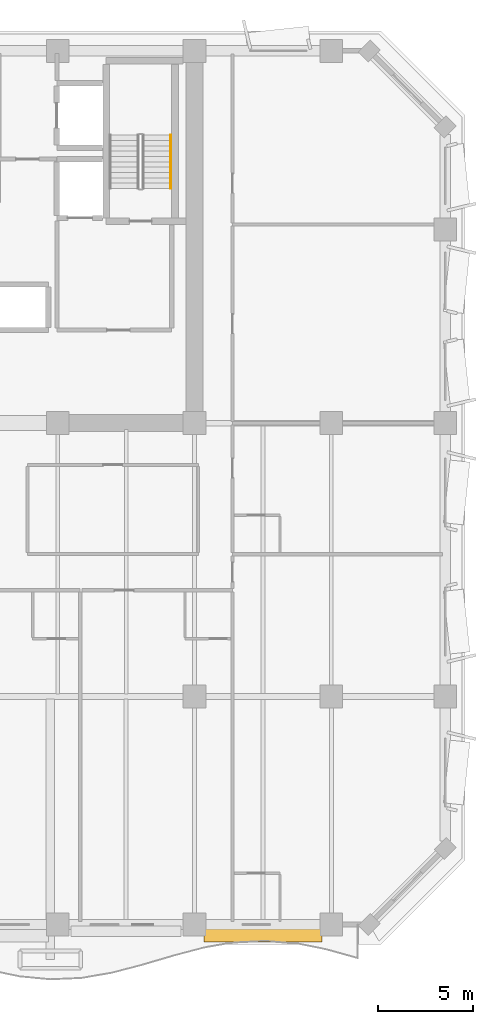
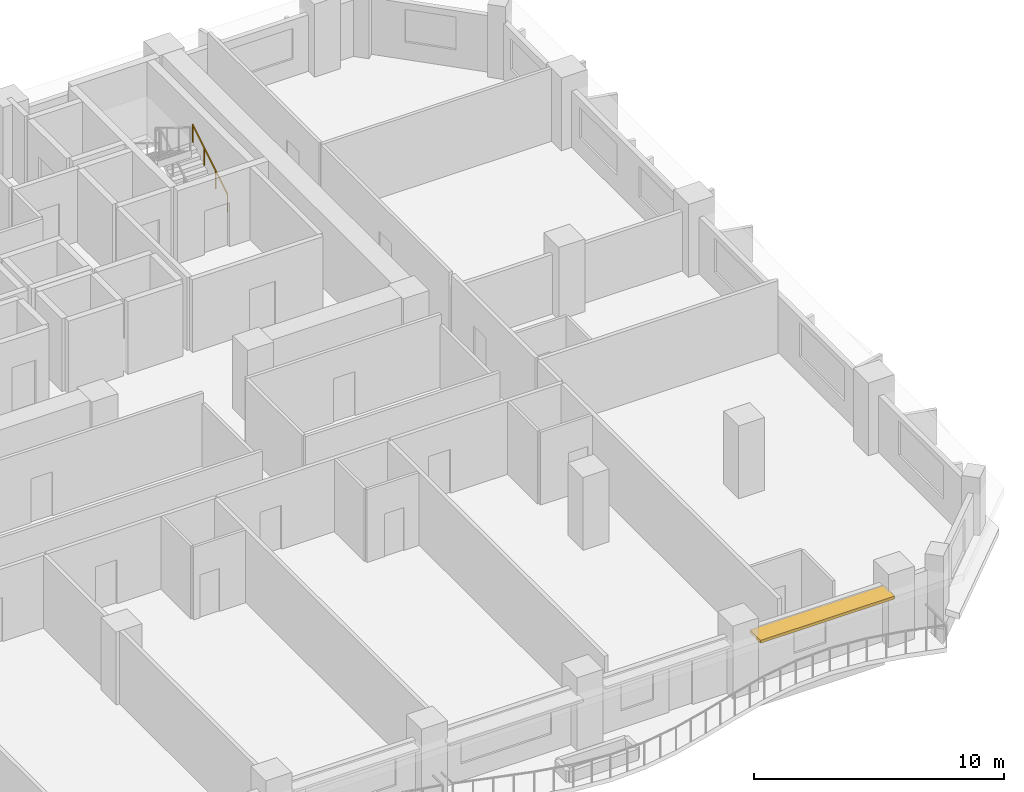
# One storey, part 15 of 15: 1 railing, 1 shading device.
"""IFC4 building model written with IfcOpenShell, lengths in metres."""

from ifc_helpers import new_model, si_unit, direction, frame, origin, origin_2d, place, context, subcontext, project, spatial, rectangle, extrude, material, layer, layer_set, type_object, element, save


model = new_model("IFC4")

# Units and contexts
model_context = context("Model", 3, precision=1e-05, world=origin(), true_north=direction((0.0, 1.0)))
body_context = subcontext(model_context, "Body", "Model", "MODEL_VIEW")
ifc_project = project(units=[si_unit("LENGTHUNIT", "METRE"), si_unit("AREAUNIT", "SQUARE_METRE"), si_unit("VOLUMEUNIT", "CUBIC_METRE"), si_unit("PLANEANGLEUNIT", "RADIAN"), si_unit("MASSUNIT", "GRAM", prefix="KILO")], contexts=[model_context])

# Site, building, storey
site_placement = place(None, origin())
site = spatial("IfcSite", under=ifc_project, at=site_placement, CompositionType="ELEMENT")
building_placement = place(site_placement, origin())
building = spatial("IfcBuilding", under=site, at=building_placement, Name="Kaelvorn Grand Hotel", CompositionType="ELEMENT")
storey_placement = place(building_placement, frame((0.0, 0.0, 177.14990234375)))
storey = spatial("IfcBuildingStorey", under=building, at=storey_placement, Name="L43", CompositionType="ELEMENT", Elevation=177.14990234375)

# Railing
ifc_material_1 = material(Name="Stainless Steel", Category="steel")
railing_type = type_object("IfcRailingType", Name="RL-HANDRAIL-900", PredefinedType="HANDRAIL", material=ifc_material_1)
railing_placement = place(storey_placement, frame((66.550048828125, 41.760009765625, 0.1728515625)))
element("IfcRailing", 1, at=railing_placement, inside=storey, type_object=railing_type, Name="L43 ST3 stair handrail 1", PredefinedType="HANDRAIL", context=body_context, shape_type="SweptSolid", body=[
    extrude(rectangle(XDim=0.048095703125, YDim=0.048095703125, at=origin_2d()), frame((0.0, 0.0, 0.8759765625), z_axis=(0.0, 0.851089632645, 0.525020415988), x_axis=(-1.0, 0.0, 0.0)), (0.0, 0.0, 1.0), 3.2900390625),
    extrude(rectangle(XDim=0.0419921875, YDim=0.0419921875, at=origin_2d()), origin(), (0.0, 0.0, 1.0), 0.851806640625),
    extrude(rectangle(XDim=0.0419921875, YDim=0.0419921875, at=origin_2d()), frame((0.0, 0.933349609375, 0.57568359375)), (0.0, 0.0, 1.0), 0.851806640625),
    extrude(rectangle(XDim=0.0419921875, YDim=0.0419921875, at=origin_2d()), frame((0.0, 1.86669921875, 1.151611328125)), (0.0, 0.0, 1.0), 0.851806640625),
    extrude(rectangle(XDim=0.0419921875, YDim=0.0419921875, at=origin_2d()), frame((0.0, 2.800048828125, 1.727294921875)), (0.0, 0.0, 1.0), 0.851806640625),
])

# Shading device
ifc_material_2 = material(Name="Precast concrete C45/55", Category="concrete")
ifc_layer = layer(ifc_material_2, 0.139892578125)
ifc_layer_set = layer_set([ifc_layer], Name="Precast concrete C45/55")
shading_device_type = type_object("IfcShadingDeviceType", Name="SHD-SUNSHADE-850", PredefinedType="USERDEFINED", material=ifc_layer_set)
shading_device_placement = place(storey_placement, frame((71.39990234375, 2.4951171875, 2.55029296875), z_axis=(0.0, 0.0, 1.0), x_axis=(1.0, 0.0, 0.0)))
element("IfcShadingDevice", 2, at=shading_device_placement, inside=storey, type_object=shading_device_type, Name="L43 Horizontal Concrete Sunshade Band SS-10", ObjectType="SUNSHADE", PredefinedType="USERDEFINED", context=body_context, shape_type="SweptSolid", body=[
    extrude(rectangle(XDim=6.199951171875, YDim=0.85009765625, at=origin_2d()), origin(), (0.0, 0.0, 1.0), 0.139892578125),
])

save(model, "model.ifc")
